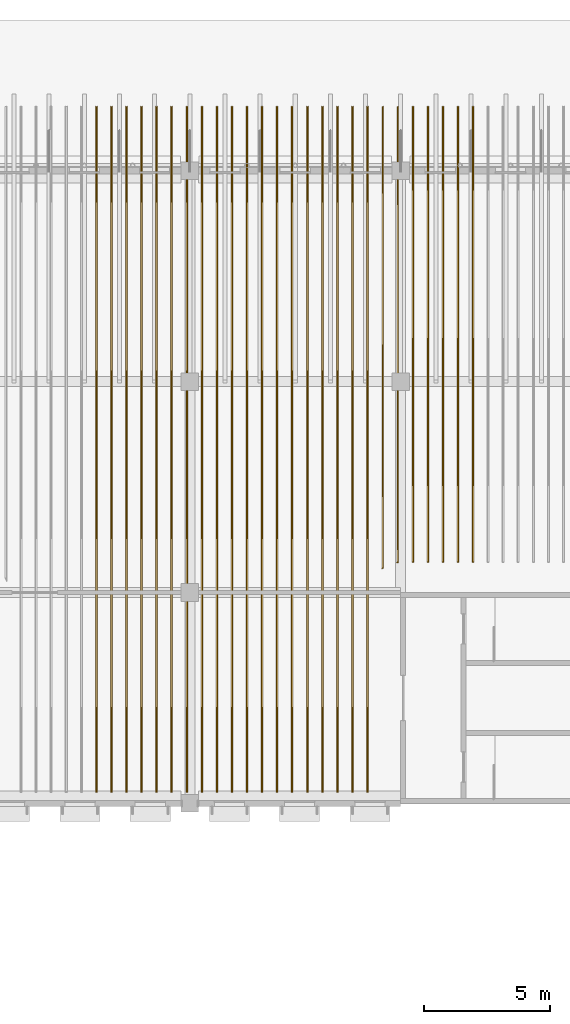
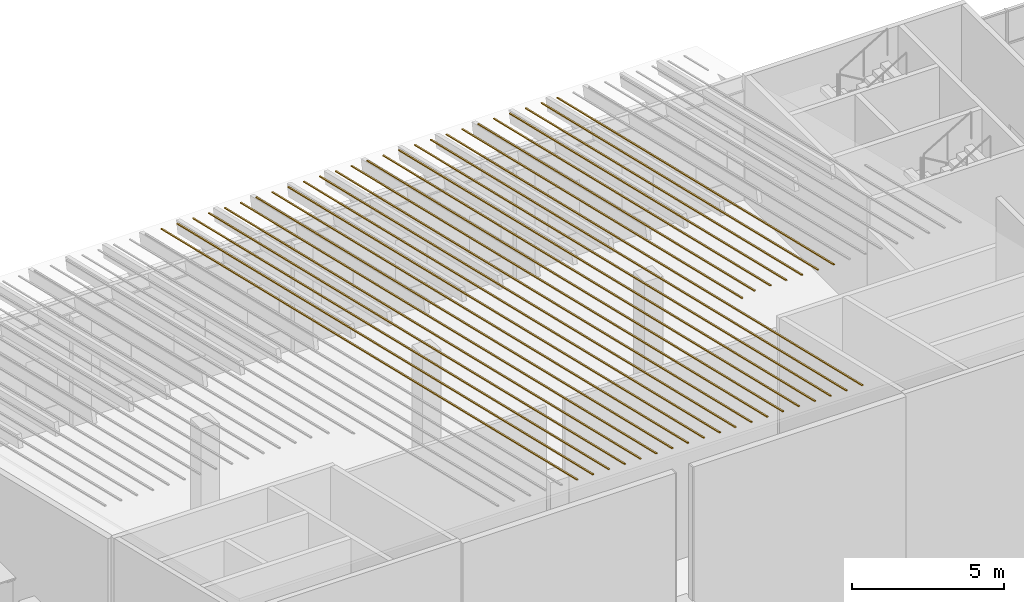
# One storey, part 67 of 82: 26 coverings.
"""IFC4 building model written with IfcOpenShell, lengths in metres."""

from ifc_helpers import new_model, si_unit, direction, frame, origin, place, context, subcontext, project, spatial, polyline, outline, extrude, material, layer, layer_set, type_object, element, save


model = new_model("IFC4")

# Units and contexts
model_context = context("Model", 3, precision=1e-05, world=origin(), true_north=direction((0.0, 1.0)))
body_context = subcontext(model_context, "Body", "Model", "MODEL_VIEW")
ifc_project = project(units=[si_unit("LENGTHUNIT", "METRE"), si_unit("AREAUNIT", "SQUARE_METRE"), si_unit("VOLUMEUNIT", "CUBIC_METRE"), si_unit("PLANEANGLEUNIT", "RADIAN"), si_unit("MASSUNIT", "GRAM", prefix="KILO")], contexts=[model_context])

# Site, building, storey
site_placement = place(None, origin())
site = spatial("IfcSite", under=ifc_project, at=site_placement, CompositionType="ELEMENT")
building_placement = place(site_placement, origin())
building = spatial("IfcBuilding", under=site, at=building_placement, Name="Almond Square Museum", CompositionType="ELEMENT")
storey_placement = place(building_placement, frame((0.0, 0.0, 20.0)))
storey = spatial("IfcBuildingStorey", under=building, at=storey_placement, Name="L03", CompositionType="ELEMENT", Elevation=20.0)

# Coverings
ifc_material = material(Name="Zinc standing seam")
ifc_layer = layer(ifc_material, 0.0400390625)
ifc_layer_set = layer_set([ifc_layer], Name="Zinc standing seam")
covering_type = type_object("IfcCoveringType", Name="Roof standing seam rib 60 x 40", PredefinedType="CLADDING", material=ifc_layer_set)
for number, where, z_axis, x_axis, name in (
    (1, (52.7099609375, 111.75, 4.392822265625), (0.0, 0.231620135261, 0.972806308029), (-1.0, 0.0, 0.0), "Roof standing seam rib"),
    (2, (53.31005859375, 111.75, 4.392822265625), (0.0, 0.231620135261, 0.972806308029), (-1.0, 0.0, 0.0), "Roof standing seam rib"),
):
    element("IfcCovering", number, at=place(storey_placement, frame(where, z_axis=z_axis, x_axis=x_axis)), inside=storey, type_object=covering_type, Name=name, PredefinedType="CLADDING", context=body_context, shape_type="SweptSolid", body=[
        extrude(outline(polyline([(0.0, 0.0), (0.06005859375, 0.0), (0.06005859375, 28.063190588705506), (0.0, 28.063190588705506), (0.0, 0.0)])), origin(), (0.0, 0.0, 1.0), 0.0400390625),
    ])
covering_1_placement = place(storey_placement, frame((53.909912109375, 111.75, 4.392822265625), z_axis=(0.0, 0.231620135261, 0.972806308029), x_axis=(-1.0, 0.0, 0.0)))
element("IfcCovering", 3, at=covering_1_placement, inside=storey, type_object=covering_type, Name="Roof standing seam rib", PredefinedType="CLADDING", context=body_context, shape_type="SweptSolid", body=[
    extrude(outline(polyline([(0.0, 0.0), (0.059814453125, 0.0), (0.059814453125, 28.063190588705503), (0.0, 28.063190588705503), (0.0, 0.0)])), origin(), (0.0, 0.0, 1.0), 0.0400390625),
])
for number, where, z_axis, x_axis, name in (
    (4, (54.510009765625, 111.75, 4.392822265625), (0.0, 0.231620135261, 0.972806308029), (-1.0, 0.0, 0.0), "Roof standing seam rib"),
    (5, (55.110107421875, 111.75, 4.392822265625), (0.0, 0.231620135261, 0.972806308029), (-1.0, 0.0, 0.0), "Roof standing seam rib"),
    (6, (55.7099609375, 111.75, 4.392822265625), (0.0, 0.231620135261, 0.972806308029), (-1.0, 0.0, 0.0), "Roof standing seam rib"),
    (7, (56.31005859375, 111.75, 4.392822265625), (0.0, 0.231620135261, 0.972806308029), (-1.0, 0.0, 0.0), "Roof standing seam rib"),
):
    element("IfcCovering", number, at=place(storey_placement, frame(where, z_axis=z_axis, x_axis=x_axis)), inside=storey, type_object=covering_type, Name=name, PredefinedType="CLADDING", context=body_context, shape_type="SweptSolid", body=[
        extrude(outline(polyline([(0.0, 0.0), (0.06005859375, 0.0), (0.06005859375, 28.063190588705506), (0.0, 28.063190588705506), (0.0, 0.0)])), origin(), (0.0, 0.0, 1.0), 0.0400390625),
    ])
covering_2_placement = place(storey_placement, frame((56.909912109375, 111.75, 4.392822265625), z_axis=(0.0, 0.231620135261, 0.972806308029), x_axis=(-1.0, 0.0, 0.0)))
element("IfcCovering", 8, at=covering_2_placement, inside=storey, type_object=covering_type, Name="Roof standing seam rib", PredefinedType="CLADDING", context=body_context, shape_type="SweptSolid", body=[
    extrude(outline(polyline([(0.0, 0.0), (0.059814453125, 0.0), (0.059814453125, 28.063190588705503), (0.0, 28.063190588705503), (0.0, 0.0)])), origin(), (0.0, 0.0, 1.0), 0.0400390625),
])
for number, where, z_axis, x_axis, name in (
    (9, (57.510009765625, 111.75, 4.392822265625), (0.0, 0.231620135261, 0.972806308029), (-1.0, 0.0, 0.0), "Roof standing seam rib"),
    (10, (58.110107421875, 111.75, 4.392822265625), (0.0, 0.231620135261, 0.972806308029), (-1.0, 0.0, 0.0), "Roof standing seam rib"),
    (11, (58.7099609375, 111.75, 4.392822265625), (0.0, 0.231620135261, 0.972806308029), (-1.0, 0.0, 0.0), "Roof standing seam rib"),
    (12, (59.31005859375, 111.75, 4.392822265625), (0.0, 0.231620135261, 0.972806308029), (-1.0, 0.0, 0.0), "Roof standing seam rib"),
):
    element("IfcCovering", number, at=place(storey_placement, frame(where, z_axis=z_axis, x_axis=x_axis)), inside=storey, type_object=covering_type, Name=name, PredefinedType="CLADDING", context=body_context, shape_type="SweptSolid", body=[
        extrude(outline(polyline([(0.0, 0.0), (0.06005859375, 0.0), (0.06005859375, 28.063190588705506), (0.0, 28.063190588705506), (0.0, 0.0)])), origin(), (0.0, 0.0, 1.0), 0.0400390625),
    ])
covering_3_placement = place(storey_placement, frame((59.909912109375, 111.75, 4.392822265625), z_axis=(0.0, 0.231620135261, 0.972806308029), x_axis=(-1.0, 0.0, 0.0)))
element("IfcCovering", 13, at=covering_3_placement, inside=storey, type_object=covering_type, Name="Roof standing seam rib", PredefinedType="CLADDING", context=body_context, shape_type="SweptSolid", body=[
    extrude(outline(polyline([(0.0, 0.0), (0.059814453125, 0.0), (0.059814453125, 28.063190588705503), (0.0, 28.063190588705503), (0.0, 0.0)])), origin(), (0.0, 0.0, 1.0), 0.0400390625),
])
for number, where, z_axis, x_axis, name in (
    (14, (60.510009765625, 111.75, 4.392822265625), (0.0, 0.231620135261, 0.972806308029), (-1.0, 0.0, 0.0), "Roof standing seam rib"),
    (15, (61.110107421875, 111.75, 4.392822265625), (0.0, 0.231620135261, 0.972806308029), (-1.0, 0.0, 0.0), "Roof standing seam rib"),
    (16, (61.7099609375, 111.75, 4.392822265625), (0.0, 0.231620135261, 0.972806308029), (-1.0, 0.0, 0.0), "Roof standing seam rib"),
    (17, (62.31005859375, 111.75, 4.392822265625), (0.0, 0.231620135261, 0.972806308029), (-1.0, 0.0, 0.0), "Roof standing seam rib"),
):
    element("IfcCovering", number, at=place(storey_placement, frame(where, z_axis=z_axis, x_axis=x_axis)), inside=storey, type_object=covering_type, Name=name, PredefinedType="CLADDING", context=body_context, shape_type="SweptSolid", body=[
        extrude(outline(polyline([(0.0, 0.0), (0.06005859375, 0.0), (0.06005859375, 28.063190588705506), (0.0, 28.063190588705506), (0.0, 0.0)])), origin(), (0.0, 0.0, 1.0), 0.0400390625),
    ])
covering_4_placement = place(storey_placement, frame((62.909912109375, 111.75, 4.392822265625), z_axis=(0.0, 0.231620135261, 0.972806308029), x_axis=(-1.0, 0.0, 0.0)))
element("IfcCovering", 18, at=covering_4_placement, inside=storey, type_object=covering_type, Name="Roof standing seam rib", PredefinedType="CLADDING", context=body_context, shape_type="SweptSolid", body=[
    extrude(outline(polyline([(0.0, 0.0), (0.059814453125, 0.0), (0.059814453125, 28.063190588705503), (0.0, 28.063190588705503), (0.0, 0.0)])), origin(), (0.0, 0.0, 1.0), 0.0400390625),
])
covering_5_placement = place(storey_placement, frame((63.510009765625, 111.75, 4.392822265625), z_axis=(0.0, 0.231620135261, 0.972806308029), x_axis=(-1.0, 0.0, 0.0)))
element("IfcCovering", 19, at=covering_5_placement, inside=storey, type_object=covering_type, Name="Roof standing seam rib", PredefinedType="CLADDING", context=body_context, shape_type="SweptSolid", body=[
    extrude(outline(polyline([(0.0, 0.0), (0.06005859375, 0.0), (0.06005859375, 28.063190588705506), (0.0, 28.063190588705506), (0.0, 0.0)])), origin(), (0.0, 0.0, 1.0), 0.0400390625),
])
covering_6_placement = place(storey_placement, frame((64.110107421875, 111.75, 4.392822265625), z_axis=(-0.001130769757, 0.231622706978, 0.972805038521), x_axis=(-0.99999936068, -0.00026191212, -0.001100019221)))
element("IfcCovering", 20, at=covering_6_placement, inside=storey, type_object=covering_type, Name="Roof standing seam rib", PredefinedType="CLADDING", context=body_context, shape_type="SweptSolid", body=[
    extrude(outline(polyline([(0.0, 0.0), (0.060058555353320234, -3.255782891008717e-21), (0.060058632146704295, 18.928803067711748), (-7.679338406580555e-08, 18.88290872722569), (0.0, 0.0)])), origin(), (0.0, 0.0, 1.0), 0.0400390625),
])
covering_7_placement = place(storey_placement, frame((64.64990234375, 93.58935546875, 8.716796875), z_axis=(-0.0003767173, 0.231622279209, 0.972805724622), x_axis=(0.994168875264, 0.104987996956, -0.024612353653)))
element("IfcCovering", 21, at=covering_7_placement, inside=storey, type_object=covering_type, Name="Roof standing seam rib", PredefinedType="CLADDING", context=body_context, shape_type="SweptSolid", body=[
    extrude(outline(polyline([(0.0, 0.0), (0.060410865565823146, -4.336808689942018e-19), (2.0727812696427868, 18.552976878545437), (2.01307288504444, 18.55945321856027), (0.0, 0.0)])), origin(), (0.0, 0.0, 1.0), 0.0400390625),
])
covering_8_placement = place(storey_placement, frame((65.31005859375, 111.75, 4.392822265625), z_axis=(0.0, 0.231627013906, 0.972804670234), x_axis=(-1.0, 0.0, 0.0)))
element("IfcCovering", 22, at=covering_8_placement, inside=storey, type_object=covering_type, Name="Roof standing seam rib", PredefinedType="CLADDING", context=body_context, shape_type="SweptSolid", body=[
    extrude(outline(polyline([(0.0, 0.0), (0.06005859375, 0.0), (0.06005859375, 18.657293595625642), (0.0, 18.657293595625642), (0.0, 0.0)])), origin(), (0.0, 0.0, 1.0), 0.0400390625),
])
covering_9_placement = place(storey_placement, frame((65.909912109375, 111.75, 4.392822265625), z_axis=(0.0, 0.231627013906, 0.972804670234), x_axis=(-1.0, 0.0, 0.0)))
element("IfcCovering", 23, at=covering_9_placement, inside=storey, type_object=covering_type, Name="Roof standing seam rib", PredefinedType="CLADDING", context=body_context, shape_type="SweptSolid", body=[
    extrude(outline(polyline([(0.0, 0.0), (0.059814453125, 0.0), (0.059814453125, 18.657293595625642), (0.0, 18.657293595625642), (0.0, 0.0)])), origin(), (0.0, 0.0, 1.0), 0.0400390625),
])
for number, where, z_axis, x_axis, name in (
    (24, (66.510009765625, 111.75, 4.392822265625), (0.0, 0.231627013906, 0.972804670234), (-1.0, 0.0, 0.0), "Roof standing seam rib"),
    (25, (67.110107421875, 111.75, 4.392822265625), (0.0, 0.231627013906, 0.972804670234), (-1.0, 0.0, 0.0), "Roof standing seam rib"),
    (26, (67.7099609375, 111.75, 4.392822265625), (0.0, 0.231627013906, 0.972804670234), (-1.0, 0.0, 0.0), "Roof standing seam rib"),
):
    element("IfcCovering", number, at=place(storey_placement, frame(where, z_axis=z_axis, x_axis=x_axis)), inside=storey, type_object=covering_type, Name=name, PredefinedType="CLADDING", context=body_context, shape_type="SweptSolid", body=[
        extrude(outline(polyline([(0.0, 0.0), (0.06005859375, 0.0), (0.06005859375, 18.657293595625642), (0.0, 18.657293595625642), (0.0, 0.0)])), origin(), (0.0, 0.0, 1.0), 0.0400390625),
    ])

save(model, "model.ifc")
